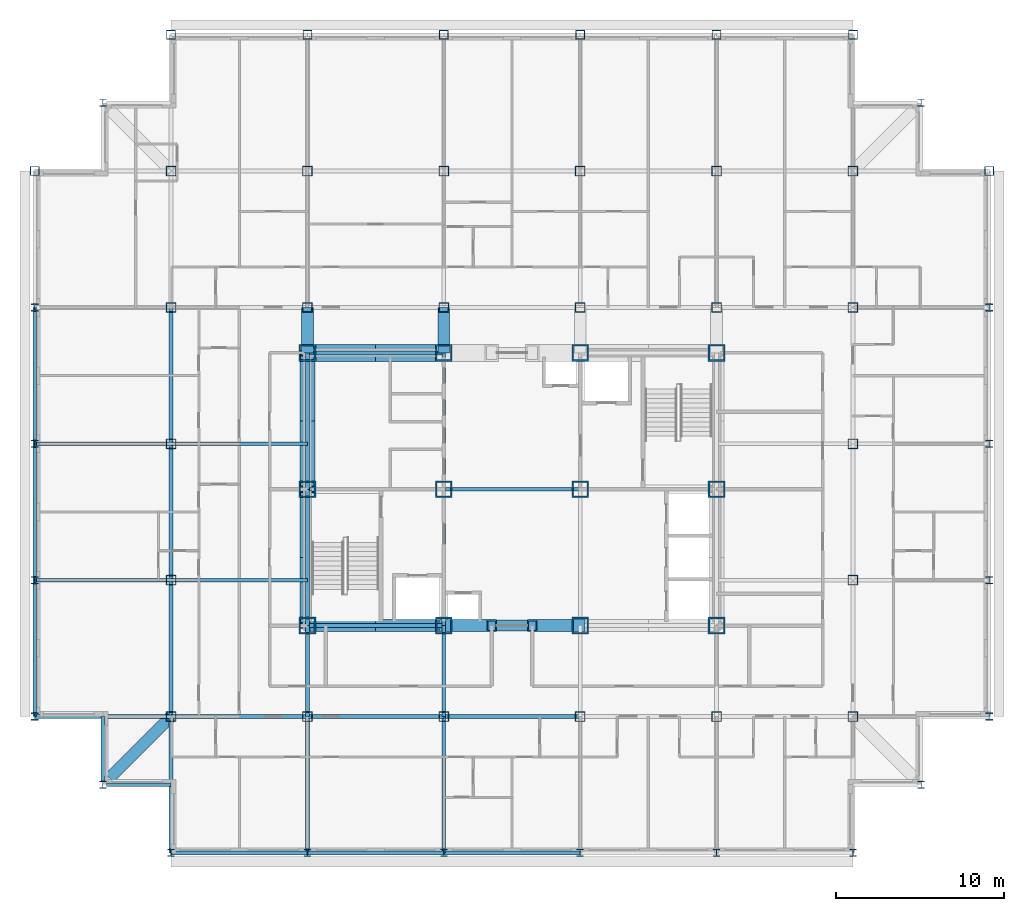
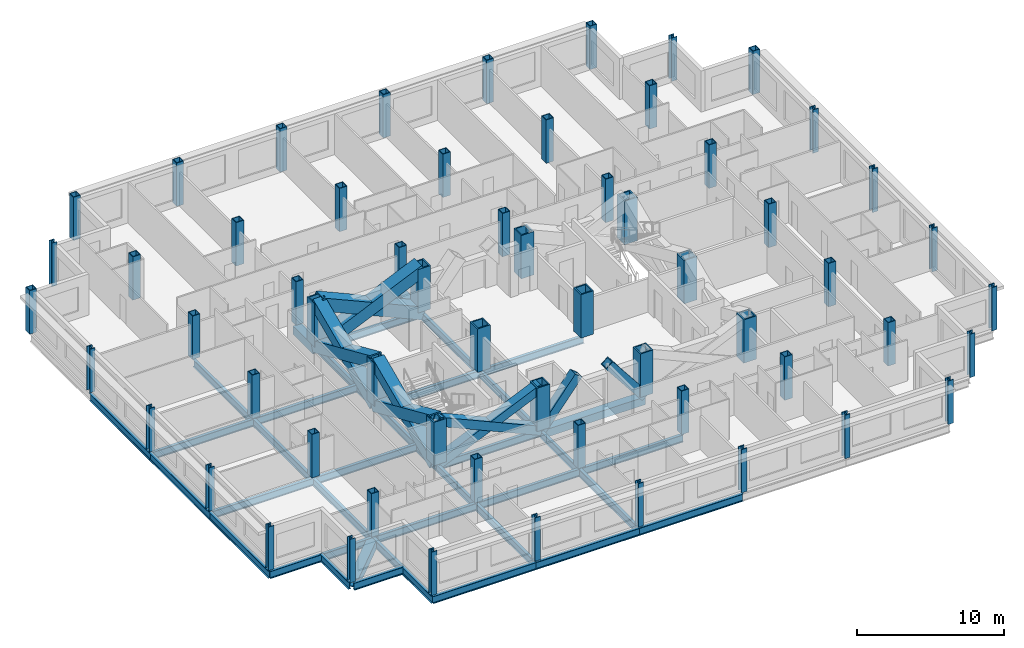
# One storey, part 1 of 12: 60 columns, 36 beams, 10 members.
"""IFC4 building model written with IfcOpenShell, lengths in metres."""

import ifcopenshell
import ifcopenshell.guid

model = None  # the IFC model being written
_history = None  # IfcOwnerHistory: only IFC2X3 demands one
_inside = {}  # id of a spatial element -> (the spatial element, [elements in it])
_under = {}  # id of a project, library or spatial element -> (it, [spatial elements below it])
_declared = {}  # id of a project -> (the project, [libraries it declares])
_typed = {}  # id of a type object -> (the type object, [elements of that type])
_made_of = {}  # id of a material, layer set ... -> (it, [elements and type objects made of it])


def new_model(schema):
    """Start an empty IFC model of exactly this schema.

    Asked for "IFC4X3", IfcOpenShell would pick the latest addendum, in which some entities
    have other attributes; the version numbers below select the first issue.
    IFC2X3 requires an IfcOwnerHistory on every rooted entity: one is made here for all.
    """
    global model, _history
    if schema == "IFC4X3":
        model = ifcopenshell.file(schema_version=(4, 3, 0, 0))
    else:
        model = ifcopenshell.file(schema=schema)
    _inside.clear()
    _under.clear()
    _declared.clear()
    _typed.clear()
    _made_of.clear()
    _history = None
    if model.schema == "IFC2X3":
        org = make("IfcOrganization", Name="unknown")
        user = make(
            "IfcPersonAndOrganization",
            ThePerson=make("IfcPerson", FamilyName="unknown"),
            TheOrganization=org,
        )
        app = make(
            "IfcApplication",
            ApplicationDeveloper=org,
            Version="unknown",
            ApplicationFullName="unknown",
            ApplicationIdentifier="unknown",
        )
        _history = make(
            "IfcOwnerHistory",
            OwningUser=user,
            OwningApplication=app,
            ChangeAction="ADDED",
            CreationDate=0,
        )
    return model


def make(cls, **values):
    """One entity of the class cls with the attributes given. An attribute that is None is left unset."""
    return model.create_entity(
        cls, **{name: value for name, value in values.items() if value is not None}
    )


def rooted(cls, **values):
    """An entity with a GlobalId (a new one), such as an element, a storey or a relation."""
    return make(cls, GlobalId=ifcopenshell.guid.new(), OwnerHistory=_history, **values)


def si_unit(unit_type, name, prefix=None):
    """IfcSIUnit, for example si_unit("LENGTHUNIT", "METRE", prefix="MILLI")."""
    return make("IfcSIUnit", UnitType=unit_type, Prefix=prefix, Name=name)


def assignment(units):
    """IfcUnitAssignment: the units of a project."""
    return None if units is None else make("IfcUnitAssignment", Units=units)


def point(xyz):
    """IfcCartesianPoint."""
    return None if xyz is None else make("IfcCartesianPoint", Coordinates=xyz)


def direction(xyz):
    """IfcDirection."""
    return None if xyz is None else make("IfcDirection", DirectionRatios=xyz)


def frame(location, z_axis=None, x_axis=None):
    """IfcAxis2Placement3D, a coordinate frame: its origin and axes. An axis left out is left unset."""
    return make(
        "IfcAxis2Placement3D",
        Location=point(location),
        Axis=direction(z_axis),
        RefDirection=direction(x_axis),
    )


def frame_2d(location, x_axis=None):
    """IfcAxis2Placement2D, a coordinate frame in the plane: its origin and x axis."""
    return make(
        "IfcAxis2Placement2D", Location=point(location), RefDirection=direction(x_axis)
    )


def origin():
    """The frame at (0, 0, 0) with its axes left unset."""
    return frame((0.0, 0.0, 0.0))


def origin_2d():
    """The frame at (0, 0) in the plane with its x axis left unset."""
    return frame_2d((0.0, 0.0))


def place(relative_to, where):
    """IfcLocalPlacement: puts the frame where relative to a parent placement (None: the world)."""
    return make(
        "IfcLocalPlacement", PlacementRelTo=relative_to, RelativePlacement=where
    )


def context(
    kind, dimensions, precision=None, world=None, true_north=None, identifier=None
):
    """IfcGeometricRepresentationContext, for example the 3D "Model" context."""
    return make(
        "IfcGeometricRepresentationContext",
        ContextIdentifier=identifier,
        ContextType=kind,
        CoordinateSpaceDimension=dimensions,
        Precision=precision,
        WorldCoordinateSystem=world,
        TrueNorth=true_north,
    )


def subcontext(parent, identifier, kind, view, scale=None):
    """IfcGeometricRepresentationSubContext, for example "Body" below "Model"."""
    return make(
        "IfcGeometricRepresentationSubContext",
        ContextIdentifier=identifier,
        ContextType=kind,
        ParentContext=parent,
        TargetScale=scale,
        TargetView=view,
    )


def project(units=None, contexts=None):
    """IfcProject with its units and contexts."""
    return rooted(
        "IfcProject",
        Name="project",
        RepresentationContexts=contexts,
        UnitsInContext=assignment(units),
    )


def spatial(cls, under=None, at=None, **own):
    """A site, building, storey or space (cls), placed at a placement, below another one or the project."""
    s = rooted(cls, ObjectPlacement=at, **own)
    if under is not None:
        _under.setdefault(under.id(), (under, []))[1].append(s)
    return s


def profile(cls, at=None, kind="AREA", **sizes):
    """A parametric profile (cls). Its sizes go by their IFC names, for example OverallWidth=200.0."""
    return make(cls, ProfileType=kind, Position=at, **sizes)


def hollow_rectangle(**sizes):
    """IfcRectangleHollowProfileDef."""
    return profile("IfcRectangleHollowProfileDef", **sizes)


def i_section(**sizes):
    """IfcIShapeProfileDef."""
    return profile("IfcIShapeProfileDef", **sizes)


def extrude(swept, where, along, depth):
    """IfcExtrudedAreaSolid: the profile swept, set in the frame where, extruded along a direction by depth."""
    return make(
        "IfcExtrudedAreaSolid",
        SweptArea=swept,
        Position=where,
        ExtrudedDirection=direction(along),
        Depth=depth,
    )


def shape(context_of_items, identifier, shape_type, items):
    """IfcShapeRepresentation: the items that make up one representation, for example the "Body"."""
    return make(
        "IfcShapeRepresentation",
        ContextOfItems=context_of_items,
        RepresentationIdentifier=identifier,
        RepresentationType=shape_type,
        Items=items,
    )


def material(Name=None, Category=None):
    """IfcMaterial."""
    return make("IfcMaterial", Name=Name, Category=Category)


def material_profile(
    of_material, cross_section, Name=None, Category=None, Priority=None
):
    """IfcMaterialProfile: a cross section and its material."""
    return make(
        "IfcMaterialProfile",
        Name=Name,
        Material=of_material,
        Profile=cross_section,
        Priority=Priority,
        Category=Category,
    )


def profile_set(profiles, Name=None, composite=None):
    """IfcMaterialProfileSet."""
    return make(
        "IfcMaterialProfileSet",
        Name=Name,
        MaterialProfiles=profiles,
        CompositeProfile=composite,
    )


def made_of(thing, what):
    """Note that an element or type object is made of a material, layer set ...; save() writes the relation."""
    if what is not None:
        _made_of.setdefault(what.id(), (what, []))[1].append(thing)
    return thing


def type_object(cls, material=None, **own):
    """A type object (cls), such as IfcWallType, which elements share."""
    return made_of(rooted(cls, **own), material)


def element(
    cls,
    number,
    at=None,
    inside=None,
    cuts=None,
    type_object=None,
    material=None,
    context=None,
    identifier="Body",
    shape_type=None,
    held_by="IfcProductDefinitionShape",
    body=None,
    shapes=None,
    **own,
):
    """One element of the class cls, such as IfcWall. Its Tag is "e" and its number.

    at: its placement. inside: the storey or other place that contains it. cuts: it is an
    opening in that element (IfcRelVoidsElement). A single representation is given by context,
    identifier, shape_type and body (its items); several are given by shapes. held_by: the class
    of the entity that holds the representations. save() writes the other relations.
    """
    e = rooted(cls, Tag="e%d" % number, ObjectPlacement=at, **own)
    if body is not None:
        shapes = [shape(context, identifier, shape_type, body)]
    if shapes is not None:
        e.Representation = make(held_by, Representations=shapes)
    if inside is not None:
        _inside.setdefault(inside.id(), (inside, []))[1].append(e)
    if cuts is not None:
        rooted(
            "IfcRelVoidsElement", RelatingBuildingElement=cuts, RelatedOpeningElement=e
        )
    if type_object is not None:
        _typed.setdefault(type_object.id(), (type_object, []))[1].append(e)
    return made_of(e, material)


def aggregate(whole, parts):
    """IfcRelAggregates: a whole, such as a stair, and the parts it consists of."""
    return rooted("IfcRelAggregates", RelatingObject=whole, RelatedObjects=parts)


def save(model, path):
    """Write the relations noted so far, then the file.

    IfcRelAggregates (storeys below a building ...), IfcRelContainedInSpatialStructure (elements
    in a storey), IfcRelDefinesByType, IfcRelAssociatesMaterial and IfcRelDeclares: one each for
    every whole, place, type object, material and project.
    """
    for whole, parts in _under.values():
        aggregate(whole, parts)
    for where, things in _inside.values():
        rooted(
            "IfcRelContainedInSpatialStructure",
            RelatedElements=things,
            RelatingStructure=where,
        )
    for kind, things in _typed.values():
        rooted("IfcRelDefinesByType", RelatedObjects=things, RelatingType=kind)
    for what, things in _made_of.values():
        rooted("IfcRelAssociatesMaterial", RelatedObjects=things, RelatingMaterial=what)
    for by, libraries in _declared.values():
        rooted("IfcRelDeclares", RelatingContext=by, RelatedDefinitions=libraries)
    model.write(path)


model = new_model("IFC4")

# Units and contexts
model_context = context("Model", 3, precision=1e-05, world=origin(), true_north=direction((0.0, 1.0)))
body_context = subcontext(model_context, "Body", "Model", "MODEL_VIEW")
ifc_project = project(units=[si_unit("LENGTHUNIT", "METRE"), si_unit("AREAUNIT", "SQUARE_METRE"), si_unit("VOLUMEUNIT", "CUBIC_METRE"), si_unit("PLANEANGLEUNIT", "RADIAN"), si_unit("MASSUNIT", "GRAM", prefix="KILO")], contexts=[model_context])

# Site, building, storey
site_placement = place(None, origin())
site = spatial("IfcSite", under=ifc_project, at=site_placement, CompositionType="ELEMENT")
building_placement = place(site_placement, origin())
building = spatial("IfcBuilding", under=site, at=building_placement, Name="Kopane Lantern Tower", CompositionType="ELEMENT")
storey_placement = place(building_placement, frame((0.0, 0.0, 217.199951171875)))
storey = spatial("IfcBuildingStorey", under=building, at=storey_placement, Name="L56", CompositionType="ELEMENT", Elevation=217.199951171875)

# Columns
ifc_material_1 = material(Name="Steel S355JR", Category="steel")
ifc_material_profile_1 = material_profile(ifc_material_1, hollow_rectangle(XDim=1.0, YDim=1.0, WallThickness=0.10009765625, at=origin_2d()), Name="BOX 1000x1000x100")
ifc_profile_set_1 = profile_set([ifc_material_profile_1], Name="Steel S355JR")
column_type_1 = type_object("IfcColumnType", Name="COLUMN BOX 1000x1000x100", PredefinedType="COLUMN", material=ifc_profile_set_1)
for number, where, z_axis, x_axis, name in (
    (1, (16.199951171875, 24.300048828125, 0.0), (0.0, 0.0, 1.0), (1.0, 0.0, 0.0), "Column 4/E L56"),
    (2, (16.199951171875, 32.39990234375, 0.0), (0.0, 0.0, 1.0), (1.0, 0.0, 0.0), "Column 4/F L56"),
    (3, (16.199951171875, 40.5, 0.0), (0.0, 0.0, 1.0), (1.0, 0.0, 0.0), "Column 4/G L56"),
    (4, (24.300048828125, 24.300048828125, 0.0), (0.0, 0.0, 1.0), (1.0, 0.0, 0.0), "Column 5/E L56"),
    (5, (24.300048828125, 32.39990234375, 0.0), (0.0, 0.0, 1.0), (1.0, 0.0, 0.0), "Column 5/F L56"),
    (6, (24.300048828125, 40.5, 0.0), (0.0, 0.0, 1.0), (1.0, 0.0, 0.0), "Column 5/G L56"),
    (7, (32.39990234375, 24.300048828125, 0.0), (0.0, 0.0, 1.0), (1.0, 0.0, 0.0), "Column 6/E L56"),
    (8, (32.39990234375, 32.39990234375, 0.0), (0.0, 0.0, 1.0), (1.0, 0.0, 0.0), "Column 6/F L56"),
    (9, (32.39990234375, 40.5, 0.0), (0.0, 0.0, 1.0), (1.0, 0.0, 0.0), "Column 6/G L56"),
    (10, (40.5, 24.300048828125, 0.0), (0.0, 0.0, 1.0), (1.0, 0.0, 0.0), "Column 7/E L56"),
    (11, (40.5, 32.39990234375, 0.0), (0.0, 0.0, 1.0), (1.0, 0.0, 0.0), "Column 7/F L56"),
    (12, (40.5, 40.5, 0.0), (0.0, 0.0, 1.0), (1.0, 0.0, 0.0), "Column 7/G L56"),
):
    element("IfcColumn", number, at=place(storey_placement, frame(where, z_axis=z_axis, x_axis=x_axis)), inside=storey, type_object=column_type_1, Name=name, PredefinedType="COLUMN", context=body_context, shape_type="SweptSolid", body=[
        extrude(hollow_rectangle(XDim=1.0, YDim=1.0, WallThickness=0.10009765625, at=origin_2d()), origin(), (0.0, 0.0, 1.0), 3.60009765625),
    ])
ifc_material_2 = material(Name="Steel S355JR", Category="steel")
ifc_material_profile_2 = material_profile(ifc_material_2, hollow_rectangle(XDim=0.550048828125, YDim=0.550048828125, WallThickness=0.044921875, at=origin_2d()), Name="BOX 550x550x45")
ifc_profile_set_2 = profile_set([ifc_material_profile_2], Name="Steel S355JR")
column_type_2 = type_object("IfcColumnType", Name="COLUMN BOX 550x550x45", PredefinedType="COLUMN", material=ifc_profile_set_2)
for number, where, z_axis, x_axis, name in (
    (13, (0.0, 51.300048828125, 0.0), (0.0, 0.0, 1.0), (1.0, 0.0, 0.0), "Column 2/Q6 L56"),
    (14, (8.10009765625, 59.39990234375, 0.0), (0.0, 0.0, 1.0), (1.0, 0.0, 0.0), "Column 3/Q7 L56"),
    (15, (16.199951171875, 59.39990234375, 0.0), (0.0, 0.0, 1.0), (1.0, 0.0, 0.0), "Column 4/Q7 L56"),
    (16, (24.300048828125, 59.39990234375, 0.0), (0.0, 0.0, 1.0), (1.0, 0.0, 0.0), "Column 5/Q7 L56"),
    (17, (32.39990234375, 59.39990234375, 0.0), (0.0, 0.0, 1.0), (1.0, 0.0, 0.0), "Column 6/Q7 L56"),
    (18, (40.5, 59.39990234375, 0.0), (0.0, 0.0, 1.0), (1.0, 0.0, 0.0), "Column 7/Q7 L56"),
    (19, (48.60009765625, 59.39990234375, 0.0), (0.0, 0.0, 1.0), (1.0, 0.0, 0.0), "Column 8/Q7 L56"),
    (20, (56.699951171875, 51.300048828125, 0.0), (0.0, 0.0, 1.0), (1.0, 0.0, 0.0), "Column 9/Q6 L56"),
):
    element("IfcColumn", number, at=place(storey_placement, frame(where, z_axis=z_axis, x_axis=x_axis)), inside=storey, type_object=column_type_2, Name=name, PredefinedType="COLUMN", context=body_context, shape_type="SweptSolid", body=[
        extrude(hollow_rectangle(XDim=0.550048828125, YDim=0.550048828125, WallThickness=0.044921875, at=origin_2d()), origin(), (0.0, 0.0, 1.0), 3.60009765625),
    ])
ifc_material_3 = material(Name="Steel S355JR", Category="steel")
ifc_material_profile_3 = material_profile(ifc_material_3, hollow_rectangle(XDim=0.60009765625, YDim=0.60009765625, WallThickness=0.050048828125, at=origin_2d()), Name="BOX 600x600x50")
ifc_profile_set_3 = profile_set([ifc_material_profile_3], Name="Steel S355JR")
column_type_3 = type_object("IfcColumnType", Name="COLUMN BOX 600x600x50", PredefinedType="COLUMN", material=ifc_profile_set_3)
for number, where, z_axis, x_axis, name in (
    (21, (8.10009765625, 18.89990234375, 0.0), (0.0, 0.0, 1.0), (1.0, 0.0, 0.0), "Column 3/Q2 L56"),
    (22, (8.10009765625, 27.0, 0.0), (0.0, 0.0, 1.0), (1.0, 0.0, 0.0), "Column 3/Q3 L56"),
    (23, (8.10009765625, 35.10009765625, 0.0), (0.0, 0.0, 1.0), (1.0, 0.0, 0.0), "Column 3/Q4 L56"),
    (24, (8.10009765625, 43.199951171875, 0.0), (0.0, 0.0, 1.0), (1.0, 0.0, 0.0), "Column 3/Q5 L56"),
    (25, (8.10009765625, 51.300048828125, 0.0), (0.0, 0.0, 1.0), (1.0, 0.0, 0.0), "Column 3/Q6 L56"),
    (26, (16.199951171875, 18.89990234375, 0.0), (0.0, 0.0, 1.0), (1.0, 0.0, 0.0), "Column 4/Q2 L56"),
    (27, (16.199951171875, 43.199951171875, 0.0), (0.0, 0.0, 1.0), (1.0, 0.0, 0.0), "Column 4/Q5 L56"),
    (28, (16.199951171875, 51.300048828125, 0.0), (0.0, 0.0, 1.0), (1.0, 0.0, 0.0), "Column 4/Q6 L56"),
    (29, (24.300048828125, 18.89990234375, 0.0), (0.0, 0.0, 1.0), (1.0, 0.0, 0.0), "Column 5/Q2 L56"),
    (30, (24.300048828125, 43.199951171875, 0.0), (0.0, 0.0, 1.0), (1.0, 0.0, 0.0), "Column 5/Q5 L56"),
    (31, (24.300048828125, 51.300048828125, 0.0), (0.0, 0.0, 1.0), (1.0, 0.0, 0.0), "Column 5/Q6 L56"),
    (32, (32.39990234375, 18.89990234375, 0.0), (0.0, 0.0, 1.0), (1.0, 0.0, 0.0), "Column 6/Q2 L56"),
    (33, (32.39990234375, 43.199951171875, 0.0), (0.0, 0.0, 1.0), (1.0, 0.0, 0.0), "Column 6/Q5 L56"),
    (34, (32.39990234375, 51.300048828125, 0.0), (0.0, 0.0, 1.0), (1.0, 0.0, 0.0), "Column 6/Q6 L56"),
    (35, (40.5, 18.89990234375, 0.0), (0.0, 0.0, 1.0), (1.0, 0.0, 0.0), "Column 7/Q2 L56"),
    (36, (40.5, 43.199951171875, 0.0), (0.0, 0.0, 1.0), (1.0, 0.0, 0.0), "Column 7/Q5 L56"),
    (37, (40.5, 51.300048828125, 0.0), (0.0, 0.0, 1.0), (1.0, 0.0, 0.0), "Column 7/Q6 L56"),
    (38, (48.60009765625, 18.89990234375, 0.0), (0.0, 0.0, 1.0), (1.0, 0.0, 0.0), "Column 8/Q2 L56"),
    (39, (48.60009765625, 27.0, 0.0), (0.0, 0.0, 1.0), (1.0, 0.0, 0.0), "Column 8/Q3 L56"),
    (40, (48.60009765625, 35.10009765625, 0.0), (0.0, 0.0, 1.0), (1.0, 0.0, 0.0), "Column 8/Q4 L56"),
    (41, (48.60009765625, 43.199951171875, 0.0), (0.0, 0.0, 1.0), (1.0, 0.0, 0.0), "Column 8/Q5 L56"),
    (42, (48.60009765625, 51.300048828125, 0.0), (0.0, 0.0, 1.0), (1.0, 0.0, 0.0), "Column 8/Q6 L56"),
):
    element("IfcColumn", number, at=place(storey_placement, frame(where, z_axis=z_axis, x_axis=x_axis)), inside=storey, type_object=column_type_3, Name=name, PredefinedType="COLUMN", context=body_context, shape_type="SweptSolid", body=[
        extrude(hollow_rectangle(XDim=0.60009765625, YDim=0.60009765625, WallThickness=0.050048828125, at=origin_2d()), origin(), (0.0, 0.0, 1.0), 3.60009765625),
    ])
ifc_material_4 = material(Name="Steel S355JR", Category="steel")
ifc_material_profile_4 = material_profile(ifc_material_4, i_section(OverallWidth=0.406982421875, OverallDepth=0.4189453125, WebThickness=0.030517578125, FlangeThickness=0.04931640625, FilletRadius=0.01513671875, at=origin_2d()), Name="UC 356x406x393")
ifc_profile_set_4 = profile_set([ifc_material_profile_4], Name="Steel S355JR")
column_type_4 = type_object("IfcColumnType", Name="COLUMN UC 356x406x393", PredefinedType="COLUMN", material=ifc_profile_set_4)
for number, where, z_axis, x_axis, name in (
    (43, (4.050048828125, 14.85009765625, 0.0), (0.0, 0.0, 1.0), (1.0, 0.0, 0.0), "Column 4.05/14.85 L56"),
    (44, (4.050048828125, 55.35009765625, 0.0), (0.0, 0.0, 1.0), (1.0, 0.0, 0.0), "Column 4.05/55.35 L56"),
    (45, (52.64990234375, 14.85009765625, 0.0), (0.0, 0.0, 1.0), (1.0, 0.0, 0.0), "Column 52.65/14.85 L56"),
    (46, (52.64990234375, 55.35009765625, 0.0), (0.0, 0.0, 1.0), (1.0, 0.0, 0.0), "Column 52.65/55.35 L56"),
):
    element("IfcColumn", number, at=place(storey_placement, frame(where, z_axis=z_axis, x_axis=x_axis)), inside=storey, type_object=column_type_4, Name=name, PredefinedType="COLUMN", context=body_context, shape_type="SweptSolid", body=[
        extrude(i_section(OverallWidth=0.406982421875, OverallDepth=0.4189453125, WebThickness=0.030517578125, FlangeThickness=0.04931640625, FilletRadius=0.01513671875, at=origin_2d()), origin(), (0.0, 0.0, 1.0), 3.60009765625),
    ])
ifc_material_5 = material(Name="Steel S355JR", Category="steel")
ifc_material_profile_5 = material_profile(ifc_material_5, i_section(OverallWidth=0.41845703125, OverallDepth=0.45556640625, WebThickness=0.0419921875, FlangeThickness=0.0673828125, FilletRadius=0.01513671875, at=origin_2d()), Name="UC 356x406x551")
ifc_profile_set_5 = profile_set([ifc_material_profile_5], Name="Steel S355JR")
column_type_5 = type_object("IfcColumnType", Name="COLUMN UC 356x406x551", PredefinedType="COLUMN", material=ifc_profile_set_5)
for number, where, z_axis, x_axis, name in (
    (47, (0.0, 18.89990234375, 0.0), (0.0, 0.0, 1.0), (1.0, 0.0, 0.0), "Column 2/Q2 L56"),
    (48, (0.0, 27.0, 0.0), (0.0, 0.0, 1.0), (1.0, 0.0, 0.0), "Column 2/Q3 L56"),
    (49, (0.0, 35.10009765625, 0.0), (0.0, 0.0, 1.0), (1.0, 0.0, 0.0), "Column 2/Q4 L56"),
    (50, (0.0, 43.199951171875, 0.0), (0.0, 0.0, 1.0), (1.0, 0.0, 0.0), "Column 2/Q5 L56"),
    (51, (8.10009765625, 10.800048828125, 0.0), (0.0, 0.0, 1.0), (1.0, 0.0, 0.0), "Column 3/Q1 L56"),
    (52, (16.199951171875, 10.800048828125, 0.0), (0.0, 0.0, 1.0), (1.0, 0.0, 0.0), "Column 4/Q1 L56"),
    (53, (24.300048828125, 10.800048828125, 0.0), (0.0, 0.0, 1.0), (1.0, 0.0, 0.0), "Column 5/Q1 L56"),
    (54, (32.39990234375, 10.800048828125, 0.0), (0.0, 0.0, 1.0), (1.0, 0.0, 0.0), "Column 6/Q1 L56"),
    (55, (40.5, 10.800048828125, 0.0), (0.0, 0.0, 1.0), (1.0, 0.0, 0.0), "Column 7/Q1 L56"),
    (56, (48.60009765625, 10.800048828125, 0.0), (0.0, 0.0, 1.0), (1.0, 0.0, 0.0), "Column 8/Q1 L56"),
    (57, (56.699951171875, 18.89990234375, 0.0), (0.0, 0.0, 1.0), (1.0, 0.0, 0.0), "Column 9/Q2 L56"),
    (58, (56.699951171875, 27.0, 0.0), (0.0, 0.0, 1.0), (1.0, 0.0, 0.0), "Column 9/Q3 L56"),
    (59, (56.699951171875, 35.10009765625, 0.0), (0.0, 0.0, 1.0), (1.0, 0.0, 0.0), "Column 9/Q4 L56"),
    (60, (56.699951171875, 43.199951171875, 0.0), (0.0, 0.0, 1.0), (1.0, 0.0, 0.0), "Column 9/Q5 L56"),
):
    element("IfcColumn", number, at=place(storey_placement, frame(where, z_axis=z_axis, x_axis=x_axis)), inside=storey, type_object=column_type_5, Name=name, PredefinedType="COLUMN", context=body_context, shape_type="SweptSolid", body=[
        extrude(i_section(OverallWidth=0.41845703125, OverallDepth=0.45556640625, WebThickness=0.0419921875, FlangeThickness=0.0673828125, FilletRadius=0.01513671875, at=origin_2d()), origin(), (0.0, 0.0, 1.0), 3.60009765625),
    ])

# Members
ifc_material_6 = material(Name="Steel S355JR", Category="steel")
ifc_material_profile_6 = material_profile(ifc_material_6, hollow_rectangle(XDim=1.0, YDim=1.0, WallThickness=0.10009765625, at=origin_2d()), Name="BOX 1000x1000x100")
ifc_profile_set_6 = profile_set([ifc_material_profile_6], Name="Steel S355JR")
member_type_1 = type_object("IfcMemberType", Name="BRACE BOX 1000x1000x100", PredefinedType="BRACE", material=ifc_profile_set_6)
for number, where, z_axis, x_axis, name in (
    (61, (16.199951171875, 40.5, -0.2099609375), (0.913809277049, 0.0, 0.40614357705), (0.0, 1.0, 0.0), "Core brace L56"),
    (62, (24.300048828125, 40.5, -0.2099609375), (-0.913809277049, 0.0, 0.40614357705), (0.0, -1.0, 0.0), "Core brace L56"),
):
    element("IfcMember", number, at=place(storey_placement, frame(where, z_axis=z_axis, x_axis=x_axis)), inside=storey, type_object=member_type_1, Name=name, PredefinedType="BRACE", context=body_context, shape_type="SweptSolid", body=[
        extrude(hollow_rectangle(XDim=1.0, YDim=1.0, WallThickness=0.10009765625, at=origin_2d()), origin(), (0.0, 0.0, 1.0), 8.864013671875),
    ])
ifc_material_7 = material(Name="Steel S355JR", Category="steel")
ifc_material_profile_7 = material_profile(ifc_material_7, hollow_rectangle(XDim=0.699951171875, YDim=0.699951171875, WallThickness=0.06005859375, at=origin_2d()), Name="BOX 700x700x60")
ifc_profile_set_7 = profile_set([ifc_material_profile_7], Name="Steel S355JR")
member_type_2 = type_object("IfcMemberType", Name="BRACE BOX 700x700x60", PredefinedType="BRACE", material=ifc_profile_set_7)
for number, where, z_axis, x_axis, name in (
    (63, (16.199951171875, 24.300048828125, -0.2099609375), (0.913809277049, 0.0, 0.40614357705), (0.0, 1.0, 0.0), "Core brace L56"),
    (64, (24.300048828125, 24.300048828125, -0.2099609375), (-0.913809277049, 0.0, 0.40614357705), (0.0, -1.0, 0.0), "Core brace L56"),
):
    element("IfcMember", number, at=place(storey_placement, frame(where, z_axis=z_axis, x_axis=x_axis)), inside=storey, type_object=member_type_2, Name=name, PredefinedType="BRACE", context=body_context, shape_type="SweptSolid", body=[
        extrude(hollow_rectangle(XDim=0.699951171875, YDim=0.699951171875, WallThickness=0.06005859375, at=origin_2d()), origin(), (0.0, 0.0, 1.0), 8.864013671875),
    ])
for number, where, z_axis, x_axis, name in (
    (65, (24.300048828125, 24.300048828125, -0.2099609375), (0.620672981644, 0.0, 0.784069544018), (0.0, 1.0, 0.0), "Core brace L56"),
    (66, (32.39990234375, 24.300048828125, -0.2099609375), (-0.620672981644, 0.0, 0.784069544018), (0.0, -1.0, 0.0), "Core brace L56"),
):
    element("IfcMember", number, at=place(storey_placement, frame(where, z_axis=z_axis, x_axis=x_axis)), inside=storey, type_object=member_type_2, Name=name, PredefinedType="BRACE", context=body_context, shape_type="SweptSolid", body=[
        extrude(hollow_rectangle(XDim=0.699951171875, YDim=0.699951171875, WallThickness=0.06005859375, at=origin_2d()), origin(), (0.0, 0.0, 1.0), 4.591552734375),
    ])
ifc_material_8 = material(Name="Steel S355JR", Category="steel")
ifc_material_profile_8 = material_profile(ifc_material_8, hollow_rectangle(XDim=0.89990234375, YDim=0.89990234375, WallThickness=0.090087890625, at=origin_2d()), Name="BOX 900x900x90")
ifc_profile_set_8 = profile_set([ifc_material_profile_8], Name="Steel S355JR")
member_type_3 = type_object("IfcMemberType", Name="BRACE BOX 900x900x90", PredefinedType="BRACE", material=ifc_profile_set_8)
for number, where, z_axis, x_axis, name in (
    (67, (16.199951171875, 24.300048828125, -0.2099609375), (0.0, 0.91380473365, 0.406153799391), (-1.0, 0.0, 0.0), "Core brace L56"),
    (68, (16.199951171875, 32.39990234375, -0.2099609375), (0.0, -0.91380473365, 0.406153799391), (1.0, 0.0, 0.0), "Core brace L56"),
):
    element("IfcMember", number, at=place(storey_placement, frame(where, z_axis=z_axis, x_axis=x_axis)), inside=storey, type_object=member_type_3, Name=name, PredefinedType="BRACE", context=body_context, shape_type="SweptSolid", body=[
        extrude(hollow_rectangle(XDim=0.89990234375, YDim=0.89990234375, WallThickness=0.090087890625, at=origin_2d()), origin(), (0.0, 0.0, 1.0), 8.86376953125),
    ])
for number, where, z_axis, x_axis, name in (
    (69, (16.199951171875, 32.39990234375, -0.2099609375), (0.0, 0.913809277049, 0.40614357705), (-1.0, 0.0, 0.0), "Core brace L56"),
    (70, (16.199951171875, 40.5, -0.2099609375), (0.0, -0.913809277049, 0.40614357705), (1.0, 0.0, 0.0), "Core brace L56"),
):
    element("IfcMember", number, at=place(storey_placement, frame(where, z_axis=z_axis, x_axis=x_axis)), inside=storey, type_object=member_type_3, Name=name, PredefinedType="BRACE", context=body_context, shape_type="SweptSolid", body=[
        extrude(hollow_rectangle(XDim=0.89990234375, YDim=0.89990234375, WallThickness=0.090087890625, at=origin_2d()), origin(), (0.0, 0.0, 1.0), 8.864013671875),
    ])

# Beams
ifc_material_9 = material(Name="Steel S355JR", Category="steel")
ifc_material_profile_9 = material_profile(ifc_material_9, i_section(OverallWidth=0.22900390625, OverallDepth=0.6123046875, WebThickness=0.011962890625, FlangeThickness=0.01953125, FilletRadius=0.0126953125, at=origin_2d()), Name="UB 610x229x125")
ifc_profile_set_9 = profile_set([ifc_material_profile_9], Name="Steel S355JR")
beam_type_1 = type_object("IfcBeamType", Name="CORE BEAM UB 610x229x125", PredefinedType="BEAM", material=ifc_profile_set_9)
beam_1_placement = place(storey_placement, frame((16.199951171875, 32.39990234375, -0.51611328125), z_axis=(1.0, 0.0, 0.0), x_axis=(0.0, 1.0, 0.0)))
element("IfcBeam", 71, at=beam_1_placement, inside=storey, type_object=beam_type_1, Name="Core Beam L56", PredefinedType="BEAM", context=body_context, shape_type="SweptSolid", body=[
    extrude(i_section(OverallWidth=0.22900390625, OverallDepth=0.6123046875, WebThickness=0.011962890625, FlangeThickness=0.01953125, FilletRadius=0.0126953125, at=origin_2d()), origin(), (0.0, 0.0, 1.0), 8.10009765625),
])
beam_2_placement = place(storey_placement, frame((24.300048828125, 24.300048828125, -0.51611328125), z_axis=(0.0, 1.0, 0.0), x_axis=(-1.0, 0.0, 0.0)))
element("IfcBeam", 72, at=beam_2_placement, inside=storey, type_object=beam_type_1, Name="Core Beam L56", PredefinedType="BEAM", context=body_context, shape_type="SweptSolid", body=[
    extrude(i_section(OverallWidth=0.22900390625, OverallDepth=0.6123046875, WebThickness=0.011962890625, FlangeThickness=0.01953125, FilletRadius=0.0126953125, at=origin_2d()), origin(), (0.0, 0.0, 1.0), 8.099853515625),
])
beam_3_placement = place(storey_placement, frame((24.300048828125, 32.39990234375, -0.51611328125), z_axis=(0.0, 1.0, 0.0), x_axis=(-1.0, 0.0, 0.0)))
element("IfcBeam", 73, at=beam_3_placement, inside=storey, type_object=beam_type_1, Name="Core Beam L56", PredefinedType="BEAM", context=body_context, shape_type="SweptSolid", body=[
    extrude(i_section(OverallWidth=0.22900390625, OverallDepth=0.6123046875, WebThickness=0.011962890625, FlangeThickness=0.01953125, FilletRadius=0.0126953125, at=origin_2d()), origin(), (0.0, 0.0, 1.0), 8.10009765625),
])
beam_4_placement = place(storey_placement, frame((24.300048828125, 32.39990234375, -0.51611328125), z_axis=(1.0, 0.0, 0.0), x_axis=(0.0, 1.0, 0.0)))
element("IfcBeam", 74, at=beam_4_placement, inside=storey, type_object=beam_type_1, Name="Core Beam L56", PredefinedType="BEAM", context=body_context, shape_type="SweptSolid", body=[
    extrude(i_section(OverallWidth=0.22900390625, OverallDepth=0.6123046875, WebThickness=0.011962890625, FlangeThickness=0.01953125, FilletRadius=0.0126953125, at=origin_2d()), origin(), (0.0, 0.0, 1.0), 8.099853515625),
])
ifc_material_10 = material(Name="Steel S355JR", Category="steel")
ifc_material_profile_10 = material_profile(ifc_material_10, hollow_rectangle(XDim=0.699951171875, YDim=0.699951171875, WallThickness=0.06005859375, at=origin_2d()), Name="BOX 700x700x60")
ifc_profile_set_10 = profile_set([ifc_material_profile_10], Name="Steel S355JR")
beam_type_2 = type_object("IfcBeamType", Name="CORNER TIE BEAM BOX 700x700x60", PredefinedType="BEAM", material=ifc_profile_set_10)
beam_5_placement = place(storey_placement, frame((4.447509765625, 15.24755859375, -0.56005859375), z_axis=(0.70713041325, 0.707083148333, 0.0), x_axis=(-0.707083148333, 0.70713041325, 0.0)))
element("IfcBeam", 75, at=beam_5_placement, inside=storey, type_object=beam_type_2, Name="Corner Tie Beam L56", PredefinedType="BEAM", context=body_context, shape_type="SweptSolid", body=[
    extrude(hollow_rectangle(XDim=0.699951171875, YDim=0.699951171875, WallThickness=0.06005859375, at=origin_2d()), origin(), (0.0, 0.0, 1.0), 5.165283203125),
])
ifc_material_11 = material(Name="Steel S355JR", Category="steel")
ifc_material_profile_11 = material_profile(ifc_material_11, i_section(OverallWidth=0.22900390625, OverallDepth=0.6123046875, WebThickness=0.011962890625, FlangeThickness=0.01953125, FilletRadius=0.0126953125, at=origin_2d()), Name="UB 610x229x125")
ifc_profile_set_11 = profile_set([ifc_material_profile_11], Name="Steel S355JR")
beam_type_3 = type_object("IfcBeamType", Name="EDGE BEAM UB 610x229x125", PredefinedType="BEAM", material=ifc_profile_set_11)
beam_6_placement = place(storey_placement, frame((4.050048828125, 15.053466796875, -0.51611328125), z_axis=(0.0, 1.0, 0.0), x_axis=(-1.0, 0.0, 0.0)))
element("IfcBeam", 76, at=beam_6_placement, inside=storey, type_object=beam_type_3, Name="Edge Beam L56", PredefinedType="BEAM", context=body_context, shape_type="SweptSolid", body=[
    extrude(i_section(OverallWidth=0.22900390625, OverallDepth=0.6123046875, WebThickness=0.011962890625, FlangeThickness=0.01953125, FilletRadius=0.0126953125, at=origin_2d()), origin(), (0.0, 0.0, 1.0), 3.846435546875),
])
beam_7_placement = place(storey_placement, frame((4.25341796875, 14.85009765625, -0.51611328125), z_axis=(1.0, 0.0, 0.0), x_axis=(0.0, 1.0, 0.0)))
element("IfcBeam", 77, at=beam_7_placement, inside=storey, type_object=beam_type_3, Name="Edge Beam L56", PredefinedType="BEAM", context=body_context, shape_type="SweptSolid", body=[
    extrude(i_section(OverallWidth=0.22900390625, OverallDepth=0.6123046875, WebThickness=0.011962890625, FlangeThickness=0.01953125, FilletRadius=0.0126953125, at=origin_2d()), origin(), (0.0, 0.0, 1.0), 3.8466796875),
])
ifc_material_12 = material(Name="Steel S355JR", Category="steel")
ifc_material_profile_12 = material_profile(ifc_material_12, hollow_rectangle(XDim=0.699951171875, YDim=0.699951171875, WallThickness=0.06005859375, at=origin_2d()), Name="BOX 700x700x60")
ifc_profile_set_12 = profile_set([ifc_material_profile_12], Name="Steel S355JR")
beam_type_4 = type_object("IfcBeamType", Name="GIRDER BOX 700x700x60", PredefinedType="BEAM", material=ifc_profile_set_12)
for number, where, z_axis, x_axis, name in (
    (78, (16.199951171875, 40.5, -0.56005859375), (0.0, 1.0, 0.0), (-1.0, 0.0, 0.0), "Girder L56"),
    (79, (24.300048828125, 40.5, -0.56005859375), (0.0, 1.0, 0.0), (-1.0, 0.0, 0.0), "Girder L56"),
):
    element("IfcBeam", number, at=place(storey_placement, frame(where, z_axis=z_axis, x_axis=x_axis)), inside=storey, type_object=beam_type_4, Name=name, PredefinedType="BEAM", context=body_context, shape_type="SweptSolid", body=[
        extrude(hollow_rectangle(XDim=0.699951171875, YDim=0.699951171875, WallThickness=0.06005859375, at=origin_2d()), origin(), (0.0, 0.0, 1.0), 2.699951171875),
    ])
ifc_material_13 = material(Name="Steel S355JR", Category="steel")
ifc_material_profile_13 = material_profile(ifc_material_13, i_section(OverallWidth=0.22900390625, OverallDepth=0.6123046875, WebThickness=0.011962890625, FlangeThickness=0.01953125, FilletRadius=0.0126953125, at=origin_2d()), Name="UB 610x229x125")
ifc_profile_set_13 = profile_set([ifc_material_profile_13], Name="Steel S355JR")
beam_type_5 = type_object("IfcBeamType", Name="GIRDER UB 610x229x125", PredefinedType="BEAM", material=ifc_profile_set_13)
for number, where, z_axis, x_axis, name in (
    (80, (0.0, 18.89990234375, -0.51611328125), (0.0, 1.0, 0.0), (-1.0, 0.0, 0.0), "Girder L56"),
    (81, (0.0, 18.89990234375, -0.51611328125), (1.0, 0.0, 0.0), (0.0, 1.0, 0.0), "Girder L56"),
    (82, (0.0, 27.0, -0.51611328125), (0.0, 1.0, 0.0), (-1.0, 0.0, 0.0), "Girder L56"),
    (83, (0.0, 27.0, -0.51611328125), (1.0, 0.0, 0.0), (0.0, 1.0, 0.0), "Girder L56"),
):
    element("IfcBeam", number, at=place(storey_placement, frame(where, z_axis=z_axis, x_axis=x_axis)), inside=storey, type_object=beam_type_5, Name=name, PredefinedType="BEAM", context=body_context, shape_type="SweptSolid", body=[
        extrude(i_section(OverallWidth=0.22900390625, OverallDepth=0.6123046875, WebThickness=0.011962890625, FlangeThickness=0.01953125, FilletRadius=0.0126953125, at=origin_2d()), origin(), (0.0, 0.0, 1.0), 8.10009765625),
    ])
beam_8_placement = place(storey_placement, frame((0.0, 35.10009765625, -0.51611328125), z_axis=(0.0, 1.0, 0.0), x_axis=(-1.0, 0.0, 0.0)))
element("IfcBeam", 84, at=beam_8_placement, inside=storey, type_object=beam_type_5, Name="Girder L56", PredefinedType="BEAM", context=body_context, shape_type="SweptSolid", body=[
    extrude(i_section(OverallWidth=0.22900390625, OverallDepth=0.6123046875, WebThickness=0.011962890625, FlangeThickness=0.01953125, FilletRadius=0.0126953125, at=origin_2d()), origin(), (0.0, 0.0, 1.0), 8.099853515625),
])
beam_9_placement = place(storey_placement, frame((0.0, 35.10009765625, -0.51611328125), z_axis=(1.0, 0.0, 0.0), x_axis=(0.0, 1.0, 0.0)))
element("IfcBeam", 85, at=beam_9_placement, inside=storey, type_object=beam_type_5, Name="Girder L56", PredefinedType="BEAM", context=body_context, shape_type="SweptSolid", body=[
    extrude(i_section(OverallWidth=0.22900390625, OverallDepth=0.6123046875, WebThickness=0.011962890625, FlangeThickness=0.01953125, FilletRadius=0.0126953125, at=origin_2d()), origin(), (0.0, 0.0, 1.0), 8.10009765625),
])
for number, where, z_axis, x_axis, name in (
    (86, (8.10009765625, 10.800048828125, -0.51611328125), (0.0, 1.0, 0.0), (-1.0, 0.0, 0.0), "Girder L56"),
    (87, (8.10009765625, 10.800048828125, -0.51611328125), (1.0, 0.0, 0.0), (0.0, 1.0, 0.0), "Girder L56"),
):
    element("IfcBeam", number, at=place(storey_placement, frame(where, z_axis=z_axis, x_axis=x_axis)), inside=storey, type_object=beam_type_5, Name=name, PredefinedType="BEAM", context=body_context, shape_type="SweptSolid", body=[
        extrude(i_section(OverallWidth=0.22900390625, OverallDepth=0.6123046875, WebThickness=0.011962890625, FlangeThickness=0.01953125, FilletRadius=0.0126953125, at=origin_2d()), origin(), (0.0, 0.0, 1.0), 8.099853515625),
    ])
beam_10_placement = place(storey_placement, frame((8.10009765625, 18.89990234375, -0.51611328125), z_axis=(0.0, 1.0, 0.0), x_axis=(-1.0, 0.0, 0.0)))
element("IfcBeam", 88, at=beam_10_placement, inside=storey, type_object=beam_type_5, Name="Girder L56", PredefinedType="BEAM", context=body_context, shape_type="SweptSolid", body=[
    extrude(i_section(OverallWidth=0.22900390625, OverallDepth=0.6123046875, WebThickness=0.011962890625, FlangeThickness=0.01953125, FilletRadius=0.0126953125, at=origin_2d()), origin(), (0.0, 0.0, 1.0), 8.10009765625),
])
beam_11_placement = place(storey_placement, frame((8.10009765625, 18.89990234375, -0.51611328125), z_axis=(1.0, 0.0, 0.0), x_axis=(0.0, 1.0, 0.0)))
element("IfcBeam", 89, at=beam_11_placement, inside=storey, type_object=beam_type_5, Name="Girder L56", PredefinedType="BEAM", context=body_context, shape_type="SweptSolid", body=[
    extrude(i_section(OverallWidth=0.22900390625, OverallDepth=0.6123046875, WebThickness=0.011962890625, FlangeThickness=0.01953125, FilletRadius=0.0126953125, at=origin_2d()), origin(), (0.0, 0.0, 1.0), 8.099853515625),
])
beam_12_placement = place(storey_placement, frame((8.10009765625, 27.0, -0.51611328125), z_axis=(0.0, 1.0, 0.0), x_axis=(-1.0, 0.0, 0.0)))
element("IfcBeam", 90, at=beam_12_placement, inside=storey, type_object=beam_type_5, Name="Girder L56", PredefinedType="BEAM", context=body_context, shape_type="SweptSolid", body=[
    extrude(i_section(OverallWidth=0.22900390625, OverallDepth=0.6123046875, WebThickness=0.011962890625, FlangeThickness=0.01953125, FilletRadius=0.0126953125, at=origin_2d()), origin(), (0.0, 0.0, 1.0), 8.10009765625),
])
for number, where, z_axis, x_axis, name in (
    (91, (8.10009765625, 27.0, -0.51611328125), (1.0, 0.0, 0.0), (0.0, 1.0, 0.0), "Girder L56"),
    (92, (8.10009765625, 35.10009765625, -0.51611328125), (0.0, 1.0, 0.0), (-1.0, 0.0, 0.0), "Girder L56"),
    (93, (8.10009765625, 35.10009765625, -0.51611328125), (1.0, 0.0, 0.0), (0.0, 1.0, 0.0), "Girder L56"),
    (94, (16.199951171875, 10.800048828125, -0.51611328125), (0.0, 1.0, 0.0), (-1.0, 0.0, 0.0), "Girder L56"),
):
    element("IfcBeam", number, at=place(storey_placement, frame(where, z_axis=z_axis, x_axis=x_axis)), inside=storey, type_object=beam_type_5, Name=name, PredefinedType="BEAM", context=body_context, shape_type="SweptSolid", body=[
        extrude(i_section(OverallWidth=0.22900390625, OverallDepth=0.6123046875, WebThickness=0.011962890625, FlangeThickness=0.01953125, FilletRadius=0.0126953125, at=origin_2d()), origin(), (0.0, 0.0, 1.0), 8.099853515625),
    ])
beam_13_placement = place(storey_placement, frame((16.199951171875, 10.800048828125, -0.51611328125), z_axis=(1.0, 0.0, 0.0), x_axis=(0.0, 1.0, 0.0)))
element("IfcBeam", 95, at=beam_13_placement, inside=storey, type_object=beam_type_5, Name="Girder L56", PredefinedType="BEAM", context=body_context, shape_type="SweptSolid", body=[
    extrude(i_section(OverallWidth=0.22900390625, OverallDepth=0.6123046875, WebThickness=0.011962890625, FlangeThickness=0.01953125, FilletRadius=0.0126953125, at=origin_2d()), origin(), (0.0, 0.0, 1.0), 8.10009765625),
])
beam_14_placement = place(storey_placement, frame((16.199951171875, 18.89990234375, -0.51611328125), z_axis=(0.0, 1.0, 0.0), x_axis=(-1.0, 0.0, 0.0)))
element("IfcBeam", 96, at=beam_14_placement, inside=storey, type_object=beam_type_5, Name="Girder L56", PredefinedType="BEAM", context=body_context, shape_type="SweptSolid", body=[
    extrude(i_section(OverallWidth=0.22900390625, OverallDepth=0.6123046875, WebThickness=0.011962890625, FlangeThickness=0.01953125, FilletRadius=0.0126953125, at=origin_2d()), origin(), (0.0, 0.0, 1.0), 5.400146484375),
])
beam_15_placement = place(storey_placement, frame((16.199951171875, 18.89990234375, -0.51611328125), z_axis=(1.0, 0.0, 0.0), x_axis=(0.0, 1.0, 0.0)))
element("IfcBeam", 97, at=beam_15_placement, inside=storey, type_object=beam_type_5, Name="Girder L56", PredefinedType="BEAM", context=body_context, shape_type="SweptSolid", body=[
    extrude(i_section(OverallWidth=0.22900390625, OverallDepth=0.6123046875, WebThickness=0.011962890625, FlangeThickness=0.01953125, FilletRadius=0.0126953125, at=origin_2d()), origin(), (0.0, 0.0, 1.0), 8.10009765625),
])
beam_16_placement = place(storey_placement, frame((16.199951171875, 24.300048828125, -0.51611328125), z_axis=(0.0, 1.0, 0.0), x_axis=(-1.0, 0.0, 0.0)))
element("IfcBeam", 98, at=beam_16_placement, inside=storey, type_object=beam_type_5, Name="Girder L56", PredefinedType="BEAM", context=body_context, shape_type="SweptSolid", body=[
    extrude(i_section(OverallWidth=0.22900390625, OverallDepth=0.6123046875, WebThickness=0.011962890625, FlangeThickness=0.01953125, FilletRadius=0.0126953125, at=origin_2d()), origin(), (0.0, 0.0, 1.0), 8.099853515625),
])
for number, where, z_axis, x_axis, name in (
    (99, (16.199951171875, 24.300048828125, -0.51611328125), (1.0, 0.0, 0.0), (0.0, 1.0, 0.0), "Girder L56"),
    (100, (16.199951171875, 32.39990234375, -0.51611328125), (0.0, 1.0, 0.0), (-1.0, 0.0, 0.0), "Girder L56"),
    (101, (16.199951171875, 40.5, -0.51611328125), (1.0, 0.0, 0.0), (0.0, 1.0, 0.0), "Girder L56"),
):
    element("IfcBeam", number, at=place(storey_placement, frame(where, z_axis=z_axis, x_axis=x_axis)), inside=storey, type_object=beam_type_5, Name=name, PredefinedType="BEAM", context=body_context, shape_type="SweptSolid", body=[
        extrude(i_section(OverallWidth=0.22900390625, OverallDepth=0.6123046875, WebThickness=0.011962890625, FlangeThickness=0.01953125, FilletRadius=0.0126953125, at=origin_2d()), origin(), (0.0, 0.0, 1.0), 8.10009765625),
    ])
for number, where, z_axis, x_axis, name in (
    (102, (24.300048828125, 10.800048828125, -0.51611328125), (0.0, 1.0, 0.0), (-1.0, 0.0, 0.0), "Girder L56"),
    (103, (24.300048828125, 10.800048828125, -0.51611328125), (1.0, 0.0, 0.0), (0.0, 1.0, 0.0), "Girder L56"),
):
    element("IfcBeam", number, at=place(storey_placement, frame(where, z_axis=z_axis, x_axis=x_axis)), inside=storey, type_object=beam_type_5, Name=name, PredefinedType="BEAM", context=body_context, shape_type="SweptSolid", body=[
        extrude(i_section(OverallWidth=0.22900390625, OverallDepth=0.6123046875, WebThickness=0.011962890625, FlangeThickness=0.01953125, FilletRadius=0.0126953125, at=origin_2d()), origin(), (0.0, 0.0, 1.0), 8.099853515625),
    ])
beam_17_placement = place(storey_placement, frame((24.300048828125, 18.89990234375, -0.51611328125), z_axis=(0.0, 1.0, 0.0), x_axis=(-1.0, 0.0, 0.0)))
element("IfcBeam", 104, at=beam_17_placement, inside=storey, type_object=beam_type_5, Name="Girder L56", PredefinedType="BEAM", context=body_context, shape_type="SweptSolid", body=[
    extrude(i_section(OverallWidth=0.22900390625, OverallDepth=0.6123046875, WebThickness=0.011962890625, FlangeThickness=0.01953125, FilletRadius=0.0126953125, at=origin_2d()), origin(), (0.0, 0.0, 1.0), 5.400146484375),
])
beam_18_placement = place(storey_placement, frame((24.300048828125, 18.89990234375, -0.51611328125), z_axis=(1.0, 0.0, 0.0), x_axis=(0.0, 1.0, 0.0)))
element("IfcBeam", 105, at=beam_18_placement, inside=storey, type_object=beam_type_5, Name="Girder L56", PredefinedType="BEAM", context=body_context, shape_type="SweptSolid", body=[
    extrude(i_section(OverallWidth=0.22900390625, OverallDepth=0.6123046875, WebThickness=0.011962890625, FlangeThickness=0.01953125, FilletRadius=0.0126953125, at=origin_2d()), origin(), (0.0, 0.0, 1.0), 8.099853515625),
])
ifc_material_14 = material(Name="Steel S355JR", Category="steel")
ifc_material_profile_14 = material_profile(ifc_material_14, hollow_rectangle(XDim=0.64990234375, YDim=0.64990234375, WallThickness=0.070068359375, at=origin_2d()), Name="BOX 650x650x70")
ifc_profile_set_14 = profile_set([ifc_material_profile_14], Name="Steel S355JR")
beam_type_6 = type_object("IfcBeamType", Name="LINK BEAM BOX 650x650x70", PredefinedType="BEAM", material=ifc_profile_set_14)
beam_19_placement = place(storey_placement, frame((24.300048828125, 24.300048828125, -0.534912109375), z_axis=(1.0, 0.0, 0.0), x_axis=(0.0, 1.0, 0.0)))
element("IfcBeam", 106, at=beam_19_placement, inside=storey, type_object=beam_type_6, Name="Link Beam L56", PredefinedType="BEAM", context=body_context, shape_type="SweptSolid", body=[
    extrude(hollow_rectangle(XDim=0.64990234375, YDim=0.64990234375, WallThickness=0.070068359375, at=origin_2d()), origin(), (0.0, 0.0, 1.0), 8.099853515625),
])

save(model, "model.ifc")
